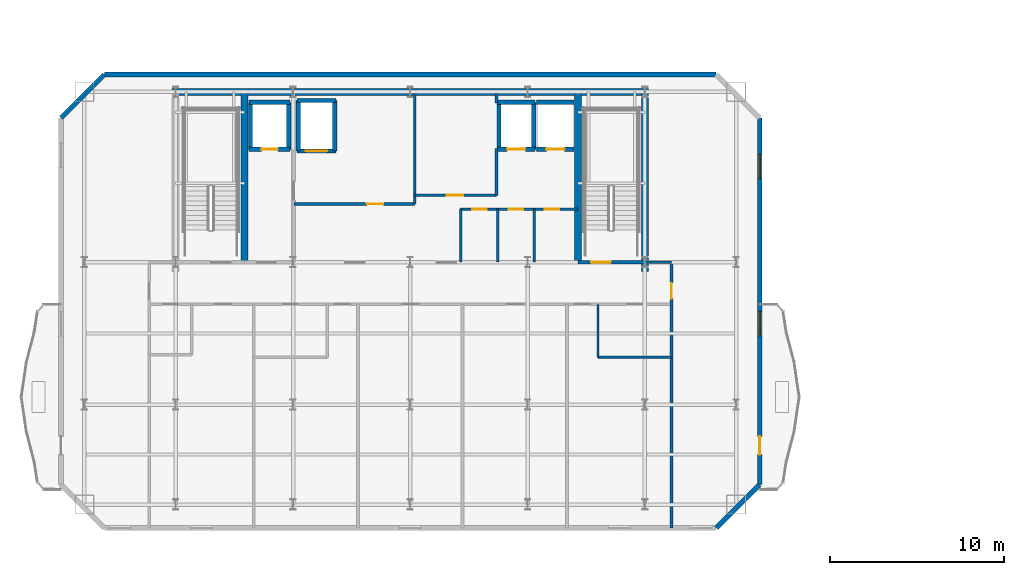
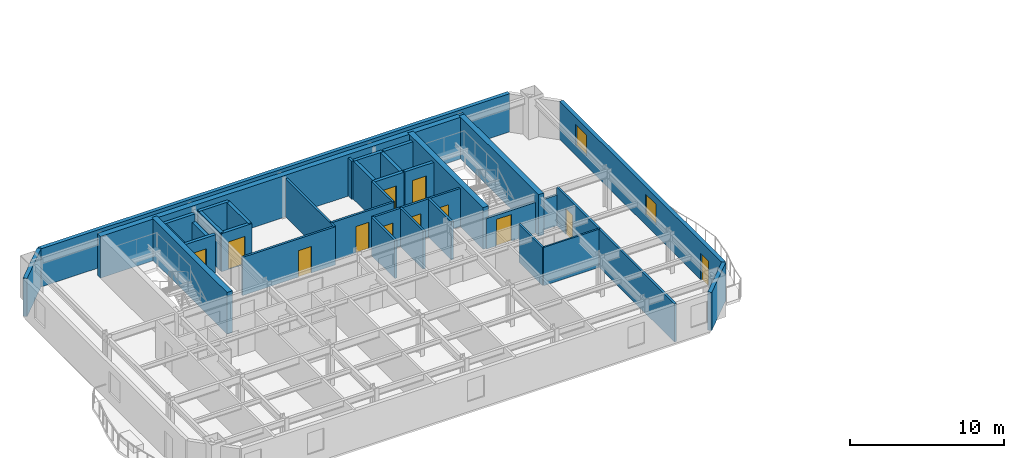
# One storey, part 6 of 13: 36 walls, 12 doors, 2 windows, 14 openings.
"""IFC4 building model written with IfcOpenShell, lengths in metres."""

from ifc_helpers import new_model, si_unit, direction, frame, frame_2d, origin, place, context, subcontext, project, spatial, rectangle, extrude, material, layer, layer_set, type_object, element, fill, save


model = new_model("IFC4")

# Units and contexts
model_context = context("Model", 3, precision=1e-05, world=origin(), true_north=direction((0.0, 1.0)))
body_context = subcontext(model_context, "Body", "Model", "MODEL_VIEW")
ifc_project = project(units=[si_unit("LENGTHUNIT", "METRE"), si_unit("AREAUNIT", "SQUARE_METRE"), si_unit("VOLUMEUNIT", "CUBIC_METRE"), si_unit("PLANEANGLEUNIT", "RADIAN"), si_unit("MASSUNIT", "GRAM", prefix="KILO")], contexts=[model_context])

# Site, building, storey
site_placement = place(None, origin())
site = spatial("IfcSite", under=ifc_project, at=site_placement, CompositionType="ELEMENT")
building_placement = place(site_placement, origin())
building = spatial("IfcBuilding", under=site, at=building_placement, Name="Haevon Station Towers", CompositionType="ELEMENT")
storey_placement = place(building_placement, frame((0.0, 0.0, 225.300048828125)))
storey = spatial("IfcBuildingStorey", under=building, at=storey_placement, Name="L62", CompositionType="ELEMENT", Elevation=225.300048828125)

# Wall, opening, door
ifc_material_1 = material(Name="Gypsum board on steel stud", Category="steel")
ifc_layer_1 = layer(ifc_material_1, 0.199951171875)
ifc_layer_set_1 = layer_set([ifc_layer_1], Name="Gypsum board on steel stud")
wall_type_1 = type_object("IfcWallType", Name="WL-COR200", PredefinedType="PARTITIONING", material=ifc_layer_set_1)
wall_1_placement = place(storey_placement, frame((47.14990234375, 38.199951171875, 0.0), z_axis=(0.0, 0.0, 1.0), x_axis=(1.0, 0.0, 0.0)))
wall_1 = element("IfcWall", 1, at=wall_1_placement, inside=storey, type_object=wall_type_1, Name="WL-ST-ST2-L62", PredefinedType="PARTITIONING", context=body_context, shape_type="SweptSolid", body=[
    extrude(rectangle(XDim=3.85009765625, YDim=0.199951171875, at=frame_2d((1.925048828125, 0.0))), origin(), (0.0, 0.0, 1.0), 2.429931640625),
])
opening_1_placement = place(wall_1_placement, frame((0.75, 0.0, 0.0)))
opening_1 = element("IfcOpeningElement", 2, at=opening_1_placement, cuts=wall_1, Name="Opening DR-ST-ST2-L62", PredefinedType="OPENING", context=body_context, shape_type="SweptSolid", body=[
    extrude(rectangle(XDim=1.1201171875, YDim=2.10009765625, at=frame_2d((0.56005859375, 1.050048828125))), frame((0.0, 0.10986328125, 0.0), z_axis=(0.0, -1.0, 0.0), x_axis=(1.0, 0.0, 0.0)), (0.0, 0.0, 1.0), 0.219970703125),
])
ifc_material_2 = material(Name="Engineered oak timber", Category="wood")
door_type_1 = type_object("IfcDoorType", Name="DR-ST-1120", OperationType="NOTDEFINED", PredefinedType="DOOR", material=ifc_material_2)
door_1_placement = place(opening_1_placement, origin())
door_1 = element("IfcDoor", 3, at=door_1_placement, inside=storey, type_object=door_type_1, Name="L62 Escape Stair ST2 Fire Door", OperationType="SINGLE_SWING_RIGHT", OverallHeight=2.10009765625, OverallWidth=1.1201171875, PredefinedType="DOOR", context=body_context, shape_type="SweptSolid", body=[
    extrude(rectangle(XDim=1.1201171875, YDim=2.10009765625, at=frame_2d((0.56005859375, 1.050048828125))), frame((0.0, 0.02490234375, 0.0), z_axis=(0.0, -1.0, 0.0), x_axis=(1.0, 0.0, 0.0)), (0.0, 0.0, 1.0), 0.050048828125),
])
fill(opening_1, door_1)

# Walls
ifc_material_3 = material(Name="Concrete C60/75", Category="concrete")
ifc_layer_2 = layer(ifc_material_3, 0.39990234375)
ifc_layer_set_2 = layer_set([ifc_layer_2], Name="Concrete C60/75")
wall_type_2 = type_object("IfcWallType", Name="WL-CR400", PredefinedType="SHEAR", material=ifc_layer_set_2)
wall_2_placement = place(storey_placement, frame((23.800048828125, 48.0, 0.0), z_axis=(0.0, 0.0, 1.0), x_axis=(1.0, 0.0, 0.0)))
element("IfcWall", 4, at=wall_2_placement, inside=storey, type_object=wall_type_2, Name="WL-T1CR-L62-N", PredefinedType="SHEAR", context=body_context, shape_type="SweptSolid", body=[
    extrude(rectangle(XDim=27.39990234375, YDim=0.39990234375, at=frame_2d((13.699951171875, 0.0))), origin(), (0.0, 0.0, 1.0), 3.300048828125),
])
wall_3_placement = place(storey_placement, frame((51.0, 37.679931640625, 0.0), z_axis=(0.0, 0.0, 1.0), x_axis=(0.0, 1.0, 0.0)))
element("IfcWall", 5, at=wall_3_placement, inside=storey, type_object=wall_type_2, Name="WL-T1CR-L62-E", PredefinedType="SHEAR", context=body_context, shape_type="SweptSolid", body=[
    extrude(rectangle(XDim=10.320068359375, YDim=0.39990234375, at=frame_2d((5.16015625, 0.0))), origin(), (0.0, 0.0, 1.0), 3.300048828125),
])
for number, where, z_axis, x_axis, name in (
    (6, (27.949951171875, 38.199951171875, 0.0), (0.0, 0.0, 1.0), (0.0, 1.0, 0.0), "WL-T1CR-L62-M1"),
    (7, (47.14990234375, 38.199951171875, 0.0), (0.0, 0.0, 1.0), (0.0, 1.0, 0.0), "WL-T1CR-L62-M2"),
):
    element("IfcWall", number, at=place(storey_placement, frame(where, z_axis=z_axis, x_axis=x_axis)), inside=storey, type_object=wall_type_2, Name=name, PredefinedType="SHEAR", context=body_context, shape_type="SweptSolid", body=[
        extrude(rectangle(XDim=9.800048828125, YDim=0.39990234375, at=frame_2d((4.89990234375, 0.0))), origin(), (0.0, 0.0, 1.0), 3.300048828125),
    ])
ifc_material_4 = material(Name="Precast concrete C45/55", Category="concrete")
ifc_layer_3 = layer(ifc_material_4, 0.280029296875)
ifc_layer_set_3 = layer_set([ifc_layer_3], Name="Precast concrete C45/55")
wall_type_3 = type_object("IfcWallType", Name="WL-EXT-PIER280", PredefinedType="SOLIDWALL", material=ifc_layer_set_3)
wall_4_placement = place(storey_placement, frame((17.39990234375, 46.5, 0.0), z_axis=(0.0, 0.0, 1.0), x_axis=(0.707106781187, 0.707106781187, 0.0)))
element("IfcWall", 8, at=wall_4_placement, inside=storey, type_object=wall_type_3, Name="WL-T1-L62-NWC", PredefinedType="SOLIDWALL", context=body_context, shape_type="SweptSolid", body=[
    extrude(rectangle(XDim=3.53564453125, YDim=0.280029296875, at=frame_2d((1.767822265625, 0.0))), origin(), (0.0, 0.0, 1.0), 3.030029296875),
])
wall_5_placement = place(storey_placement, frame((19.89990234375, 49.0, 0.0), z_axis=(0.0, 0.0, 1.0), x_axis=(1.0, 0.0, 0.0)))
element("IfcWall", 9, at=wall_5_placement, inside=storey, type_object=wall_type_3, Name="WL-T1-L62-N", PredefinedType="SOLIDWALL", context=body_context, shape_type="SweptSolid", body=[
    extrude(rectangle(XDim=35.2001953125, YDim=0.280029296875, at=frame_2d((17.60009765625, 0.0))), origin(), (0.0, 0.0, 1.0), 3.030029296875),
])

# Wall, openings, door, windows
wall_6_placement = place(storey_placement, frame((57.60009765625, 46.5, 0.0), z_axis=(0.0, 0.0, 1.0), x_axis=(0.0, -1.0, 0.0)))
wall_6 = element("IfcWall", 10, at=wall_6_placement, inside=storey, type_object=wall_type_3, Name="WL-T1-L62-E", PredefinedType="SOLIDWALL", context=body_context, shape_type="SweptSolid", body=[
    extrude(rectangle(XDim=21.10009765625, YDim=0.280029296875, at=frame_2d((10.550048828125, 0.0))), origin(), (0.0, 0.0, 1.0), 3.030029296875),
])
opening_2_placement = place(wall_6_placement, frame((18.324951171875, 0.0, 0.0)))
opening_2 = element("IfcOpeningElement", 11, at=opening_2_placement, cuts=wall_6, Name="Opening DR-T1-SCAL-L62-E", PredefinedType="OPENING", context=body_context, shape_type="SweptSolid", body=[
    extrude(rectangle(XDim=1.050048828125, YDim=2.10009765625, at=frame_2d((0.52490234375, 1.050048828125))), frame((0.0, 0.14990234375, 0.0), z_axis=(0.0, -1.0, 0.0), x_axis=(1.0, 0.0, 0.0)), (0.0, 0.0, 1.0), 0.300048828125),
])
opening_3_placement = place(wall_6_placement, frame((2.093017578125, 0.0, 0.800048828125)))
opening_3 = element("IfcOpeningElement", 12, at=opening_3_placement, cuts=wall_6, Name="Opening WN-END140", PredefinedType="OPENING", context=body_context, shape_type="SweptSolid", body=[
    extrude(rectangle(XDim=1.39990234375, YDim=1.64990234375, at=frame_2d((0.699951171875, 0.824951171875))), frame((0.0, 0.14990234375, 0.0), z_axis=(0.0, -1.0, 0.0), x_axis=(1.0, 0.0, 0.0)), (0.0, 0.0, 1.0), 0.300048828125),
])
opening_4_placement = place(wall_6_placement, frame((11.142822265625, 0.0, 0.800048828125)))
opening_4 = element("IfcOpeningElement", 13, at=opening_4_placement, cuts=wall_6, Name="Opening WN-END140", PredefinedType="OPENING", context=body_context, shape_type="SweptSolid", body=[
    extrude(rectangle(XDim=1.39990234375, YDim=1.64990234375, at=frame_2d((0.699951171875, 0.824951171875))), frame((0.0, 0.14990234375, 0.0), z_axis=(0.0, -1.0, 0.0), x_axis=(1.0, 0.0, 0.0)), (0.0, 0.0, 1.0), 0.300048828125),
])
ifc_material_5 = material(Name="Thermally broken anodised aluminium and laminated safety glass", Category="aluminium")
door_type_2 = type_object("IfcDoorType", Name="DR-BALC-1050", OperationType="NOTDEFINED", PredefinedType="DOOR", material=ifc_material_5)
door_2_placement = place(opening_2_placement, origin())
door_2 = element("IfcDoor", 14, at=door_2_placement, inside=storey, type_object=door_type_2, Name="Tower 1 L62 East Scalloped Balcony Door", OperationType="SINGLE_SWING_RIGHT", OverallHeight=2.10009765625, OverallWidth=1.050048828125, PredefinedType="DOOR", context=body_context, shape_type="SweptSolid", body=[
    extrude(rectangle(XDim=1.050048828125, YDim=2.10009765625, at=frame_2d((0.52490234375, 1.050048828125))), frame((0.0, 0.02490234375, 0.0), z_axis=(0.0, -1.0, 0.0), x_axis=(1.0, 0.0, 0.0)), (0.0, 0.0, 1.0), 0.050048828125),
])
fill(opening_2, door_2)
ifc_material_6 = material(Name="Low-E triple glazing in thermally broken aluminium", Category="aluminium")
window_type = type_object("IfcWindowType", Name="WN-END140", PartitioningType="SINGLE_PANEL", PredefinedType="WINDOW", material=ifc_material_6)
window_1_placement = place(opening_3_placement, origin())
window_1 = element("IfcWindow", 15, at=window_1_placement, inside=storey, type_object=window_type, Name="WN-T1-L62-E01", OverallHeight=1.64990234375, OverallWidth=1.39990234375, PartitioningType="SINGLE_PANEL", PredefinedType="WINDOW", context=body_context, shape_type="SweptSolid", body=[
    extrude(rectangle(XDim=1.39990234375, YDim=1.64990234375, at=frame_2d((0.699951171875, 0.824951171875))), frame((0.0, 0.030029296875, 0.0), z_axis=(0.0, -1.0, 0.0), x_axis=(1.0, 0.0, 0.0)), (0.0, 0.0, 1.0), 0.06005859375),
])
fill(opening_3, window_1)
window_2_placement = place(opening_4_placement, origin())
window_2 = element("IfcWindow", 16, at=window_2_placement, inside=storey, type_object=window_type, Name="WN-T1-L62-E02", OverallHeight=1.64990234375, OverallWidth=1.39990234375, PartitioningType="SINGLE_PANEL", PredefinedType="WINDOW", context=body_context, shape_type="SweptSolid", body=[
    extrude(rectangle(XDim=1.39990234375, YDim=1.64990234375, at=frame_2d((0.699951171875, 0.824951171875))), frame((0.0, 0.030029296875, 0.0), z_axis=(0.0, -1.0, 0.0), x_axis=(1.0, 0.0, 0.0)), (0.0, 0.0, 1.0), 0.06005859375),
])
fill(opening_4, window_2)

# Walls
wall_7_placement = place(storey_placement, frame((57.60009765625, 25.39990234375, 0.0), z_axis=(0.0, 0.0, 1.0), x_axis=(-0.707106781187, -0.707106781187, 0.0)))
element("IfcWall", 17, at=wall_7_placement, inside=storey, type_object=wall_type_3, Name="WL-T1-L62-SEC", PredefinedType="SOLIDWALL", context=body_context, shape_type="SweptSolid", body=[
    extrude(rectangle(XDim=3.53564453125, YDim=0.280029296875, at=frame_2d((1.767822265625, 0.0))), origin(), (0.0, 0.0, 1.0), 3.030029296875),
])
ifc_layer_4 = layer(ifc_material_1, 0.125)
ifc_layer_set_4 = layer_set([ifc_layer_4], Name="Gypsum board on steel stud")
wall_type_4 = type_object("IfcWallType", Name="WL-PRT125", PredefinedType="PARTITIONING", material=ifc_layer_set_4)
wall_8_placement = place(storey_placement, frame((48.294921875, 32.72998046875, 0.0), z_axis=(0.0, 0.0, 1.0), x_axis=(1.0, 0.0, 0.0)))
element("IfcWall", 18, at=wall_8_placement, inside=storey, type_object=wall_type_4, Name="WL-T1PT-L62-13", PredefinedType="PARTITIONING", context=body_context, shape_type="SweptSolid", body=[
    extrude(rectangle(XDim=4.22998046875, YDim=0.125, at=frame_2d((2.114990234375, 0.0))), origin(), (0.0, 0.0, 1.0), 3.030029296875),
])
ifc_layer_5 = layer(ifc_material_1, 0.139892578125)
ifc_layer_set_5 = layer_set([ifc_layer_5], Name="Gypsum board on steel stud")
wall_type_5 = type_object("IfcWallType", Name="WL-PRT140", PredefinedType="PARTITIONING", material=ifc_layer_set_5)
wall_9_placement = place(storey_placement, frame((48.294921875, 32.72998046875, 0.0), z_axis=(0.0, 0.0, 1.0), x_axis=(0.0, 1.0, 0.0)))
element("IfcWall", 19, at=wall_9_placement, inside=storey, type_object=wall_type_5, Name="WL-T1PT-L62-14", PredefinedType="PARTITIONING", context=body_context, shape_type="SweptSolid", body=[
    extrude(rectangle(XDim=3.050048828125, YDim=0.139892578125, at=frame_2d((1.52490234375, 0.0))), origin(), (0.0, 0.0, 1.0), 3.030029296875),
])

# Wall, opening, door
ifc_layer_6 = layer(ifc_material_1, 0.159912109375)
ifc_layer_set_6 = layer_set([ifc_layer_6], Name="Gypsum board on steel stud")
wall_type_6 = type_object("IfcWallType", Name="WL-PRT160", PredefinedType="PARTITIONING", material=ifc_layer_set_6)
wall_10_placement = place(storey_placement, frame((30.800048828125, 41.550048828125, 0.0), z_axis=(0.0, 0.0, 1.0), x_axis=(1.0, 0.0, 0.0)))
wall_10 = element("IfcWall", 20, at=wall_10_placement, inside=storey, type_object=wall_type_6, Name="WL-T1CW-L62-01", PredefinedType="PARTITIONING", context=body_context, shape_type="SweptSolid", body=[
    extrude(rectangle(XDim=6.949951171875, YDim=0.159912109375, at=frame_2d((3.47509765625, 0.0))), origin(), (0.0, 0.0, 1.0), 3.030029296875),
])
opening_5_placement = place(wall_10_placement, frame((4.199951171875, 0.0, 0.0)))
opening_5 = element("IfcOpeningElement", 21, at=opening_5_placement, cuts=wall_10, Name="Opening DR-WL-T1CW-L62-01-1", PredefinedType="OPENING", context=body_context, shape_type="SweptSolid", body=[
    extrude(rectangle(XDim=0.949951171875, YDim=2.10009765625, at=frame_2d((0.47509765625, 1.050048828125))), frame((0.0, 0.08984375, 0.0), z_axis=(0.0, -1.0, 0.0), x_axis=(1.0, 0.0, 0.0)), (0.0, 0.0, 1.0), 0.179931640625),
])
door_type_3 = type_object("IfcDoorType", Name="DR-FD60-950", OperationType="NOTDEFINED", PredefinedType="DOOR", material=ifc_material_2)
door_3_placement = place(opening_5_placement, origin())
door_3 = element("IfcDoor", 22, at=door_3_placement, inside=storey, type_object=door_type_3, Name="L62 Tower 1 Core Room Door 1-1", OperationType="SINGLE_SWING_LEFT", OverallHeight=2.10009765625, OverallWidth=0.949951171875, PredefinedType="DOOR", context=body_context, shape_type="SweptSolid", body=[
    extrude(rectangle(XDim=0.949951171875, YDim=2.10009765625, at=frame_2d((0.47509765625, 1.050048828125))), frame((0.0, 0.02490234375, 0.0), z_axis=(0.0, -1.0, 0.0), x_axis=(1.0, 0.0, 0.0)), (0.0, 0.0, 1.0), 0.050048828125),
])
fill(opening_5, door_3)

# Wall
wall_11_placement = place(storey_placement, frame((37.75, 41.550048828125, 0.0), z_axis=(0.0, 0.0, 1.0), x_axis=(0.0, 1.0, 0.0)))
element("IfcWall", 23, at=wall_11_placement, inside=storey, type_object=wall_type_6, Name="WL-T1CW-L62-02", PredefinedType="PARTITIONING", context=body_context, shape_type="SweptSolid", body=[
    extrude(rectangle(XDim=6.349853515625, YDim=0.159912109375, at=frame_2d((3.1748046875, 0.0))), origin(), (0.0, 0.0, 1.0), 3.030029296875),
])

# Wall, opening, door
wall_12_placement = place(storey_placement, frame((37.75, 42.050048828125, 0.0), z_axis=(0.0, 0.0, 1.0), x_axis=(1.0, 0.0, 0.0)))
wall_12 = element("IfcWall", 24, at=wall_12_placement, inside=storey, type_object=wall_type_6, Name="WL-T1CW-L62-03", PredefinedType="PARTITIONING", context=body_context, shape_type="SweptSolid", body=[
    extrude(rectangle(XDim=4.699951171875, YDim=0.159912109375, at=frame_2d((2.35009765625, 0.0))), origin(), (0.0, 0.0, 1.0), 3.030029296875),
])
opening_6_placement = place(wall_12_placement, frame((1.85009765625, 0.0, 0.0)))
opening_6 = element("IfcOpeningElement", 25, at=opening_6_placement, cuts=wall_12, Name="Opening DR-WL-T1CW-L62-03-1", PredefinedType="OPENING", context=body_context, shape_type="SweptSolid", body=[
    extrude(rectangle(XDim=0.949951171875, YDim=2.10009765625, at=frame_2d((0.47509765625, 1.050048828125))), frame((0.0, 0.08984375, 0.0), z_axis=(0.0, -1.0, 0.0), x_axis=(1.0, 0.0, 0.0)), (0.0, 0.0, 1.0), 0.179931640625),
])
door_4_placement = place(opening_6_placement, origin())
door_4 = element("IfcDoor", 26, at=door_4_placement, inside=storey, type_object=door_type_3, Name="L62 Tower 1 Core Room Door 3-1", OperationType="SINGLE_SWING_RIGHT", OverallHeight=2.10009765625, OverallWidth=0.949951171875, PredefinedType="DOOR", context=body_context, shape_type="SweptSolid", body=[
    extrude(rectangle(XDim=0.949951171875, YDim=2.10009765625, at=frame_2d((0.47509765625, 1.050048828125))), frame((0.0, 0.02490234375, 0.0), z_axis=(0.0, -1.0, 0.0), x_axis=(1.0, 0.0, 0.0)), (0.0, 0.0, 1.0), 0.050048828125),
])
fill(opening_6, door_4)

# Walls
wall_13_placement = place(storey_placement, frame((42.449951171875, 42.050048828125, 0.0), z_axis=(0.0, 0.0, 1.0), x_axis=(0.0, 1.0, 0.0)))
element("IfcWall", 27, at=wall_13_placement, inside=storey, type_object=wall_type_6, Name="WL-T1CW-L62-04", PredefinedType="PARTITIONING", context=body_context, shape_type="SweptSolid", body=[
    extrude(rectangle(XDim=2.699951171875, YDim=0.159912109375, at=frame_2d((1.35009765625, 0.0))), origin(), (0.0, 0.0, 1.0), 3.030029296875),
])
wall_14_placement = place(storey_placement, frame((42.449951171875, 47.35009765625, 0.0), z_axis=(0.0, 0.0, 1.0), x_axis=(0.0, 1.0, 0.0)))
element("IfcWall", 28, at=wall_14_placement, inside=storey, type_object=wall_type_6, Name="WL-T1CW-L62-05", PredefinedType="PARTITIONING", context=body_context, shape_type="SweptSolid", body=[
    extrude(rectangle(XDim=0.5498046875, YDim=0.159912109375, at=frame_2d((0.27490234375, 0.0))), origin(), (0.0, 0.0, 1.0), 3.030029296875),
])
for number, where, z_axis, x_axis, name in (
    (29, (40.39990234375, 38.199951171875, 0.0), (0.0, 0.0, 1.0), (0.0, 1.0, 0.0), "WL-T1CW-L62-06"),
    (30, (42.530029296875, 38.199951171875, 0.0), (0.0, 0.0, 1.0), (0.0, 1.0, 0.0), "WL-T1CW-L62-07"),
    (31, (44.6298828125, 38.199951171875, 0.0), (0.0, 0.0, 1.0), (0.0, 1.0, 0.0), "WL-T1CW-L62-08"),
):
    element("IfcWall", number, at=place(storey_placement, frame(where, z_axis=z_axis, x_axis=x_axis)), inside=storey, type_object=wall_type_6, Name=name, PredefinedType="PARTITIONING", context=body_context, shape_type="SweptSolid", body=[
        extrude(rectangle(XDim=3.050048828125, YDim=0.159912109375, at=frame_2d((1.52490234375, 0.0))), origin(), (0.0, 0.0, 1.0), 3.030029296875),
    ])

# Wall, openings, doors
wall_15_placement = place(storey_placement, frame((40.39990234375, 41.25, 0.0), z_axis=(0.0, 0.0, 1.0), x_axis=(1.0, 0.0, 0.0)))
wall_15 = element("IfcWall", 32, at=wall_15_placement, inside=storey, type_object=wall_type_6, Name="WL-T1CW-L62-09", PredefinedType="PARTITIONING", context=body_context, shape_type="SweptSolid", body=[
    extrude(rectangle(XDim=6.75, YDim=0.159912109375, at=frame_2d((3.375, 0.0))), origin(), (0.0, 0.0, 1.0), 3.030029296875),
])
opening_7_placement = place(wall_15_placement, frame((0.659912109375, 0.0, 0.0)))
opening_7 = element("IfcOpeningElement", 33, at=opening_7_placement, cuts=wall_15, Name="Opening DR-WL-T1CW-L62-09-1", PredefinedType="OPENING", context=body_context, shape_type="SweptSolid", body=[
    extrude(rectangle(XDim=0.85009765625, YDim=2.050048828125, at=frame_2d((0.425048828125, 1.02490234375))), frame((0.0, 0.08984375, 0.0), z_axis=(0.0, -1.0, 0.0), x_axis=(1.0, 0.0, 0.0)), (0.0, 0.0, 1.0), 0.179931640625),
])
opening_8_placement = place(wall_15_placement, frame((2.7548828125, 0.0, 0.0)))
opening_8 = element("IfcOpeningElement", 34, at=opening_8_placement, cuts=wall_15, Name="Opening DR-WL-T1CW-L62-09-2", PredefinedType="OPENING", context=body_context, shape_type="SweptSolid", body=[
    extrude(rectangle(XDim=0.85009765625, YDim=2.050048828125, at=frame_2d((0.425048828125, 1.02490234375))), frame((0.0, 0.08984375, 0.0), z_axis=(0.0, -1.0, 0.0), x_axis=(1.0, 0.0, 0.0)), (0.0, 0.0, 1.0), 0.179931640625),
])
opening_9_placement = place(wall_15_placement, frame((4.830078125, 0.0, 0.0)))
opening_9 = element("IfcOpeningElement", 35, at=opening_9_placement, cuts=wall_15, Name="Opening DR-WL-T1CW-L62-09-3", PredefinedType="OPENING", context=body_context, shape_type="SweptSolid", body=[
    extrude(rectangle(XDim=0.85009765625, YDim=2.050048828125, at=frame_2d((0.425048828125, 1.02490234375))), frame((0.0, 0.08984375, 0.0), z_axis=(0.0, -1.0, 0.0), x_axis=(1.0, 0.0, 0.0)), (0.0, 0.0, 1.0), 0.179931640625),
])
door_type_4 = type_object("IfcDoorType", Name="DR-FD30-850", OperationType="NOTDEFINED", PredefinedType="DOOR", material=ifc_material_2)
door_5_placement = place(opening_7_placement, origin())
door_5 = element("IfcDoor", 36, at=door_5_placement, inside=storey, type_object=door_type_4, Name="L62 Tower 1 Core Room Door 9-1", OperationType="SINGLE_SWING_LEFT", OverallHeight=2.050048828125, OverallWidth=0.85009765625, PredefinedType="DOOR", context=body_context, shape_type="SweptSolid", body=[
    extrude(rectangle(XDim=0.85009765625, YDim=2.050048828125, at=frame_2d((0.425048828125, 1.02490234375))), frame((0.0, 0.02490234375, 0.0), z_axis=(0.0, -1.0, 0.0), x_axis=(1.0, 0.0, 0.0)), (0.0, 0.0, 1.0), 0.050048828125),
])
fill(opening_7, door_5)
door_6_placement = place(opening_8_placement, origin())
door_6 = element("IfcDoor", 37, at=door_6_placement, inside=storey, type_object=door_type_4, Name="L62 Tower 1 Core Room Door 9-2", OperationType="SINGLE_SWING_RIGHT", OverallHeight=2.050048828125, OverallWidth=0.85009765625, PredefinedType="DOOR", context=body_context, shape_type="SweptSolid", body=[
    extrude(rectangle(XDim=0.85009765625, YDim=2.050048828125, at=frame_2d((0.425048828125, 1.02490234375))), frame((0.0, 0.02490234375, 0.0), z_axis=(0.0, -1.0, 0.0), x_axis=(1.0, 0.0, 0.0)), (0.0, 0.0, 1.0), 0.050048828125),
])
fill(opening_8, door_6)
door_7_placement = place(opening_9_placement, origin())
door_7 = element("IfcDoor", 38, at=door_7_placement, inside=storey, type_object=door_type_4, Name="L62 Tower 1 Core Room Door 9-3", OperationType="SINGLE_SWING_LEFT", OverallHeight=2.050048828125, OverallWidth=0.85009765625, PredefinedType="DOOR", context=body_context, shape_type="SweptSolid", body=[
    extrude(rectangle(XDim=0.85009765625, YDim=2.050048828125, at=frame_2d((0.425048828125, 1.02490234375))), frame((0.0, 0.02490234375, 0.0), z_axis=(0.0, -1.0, 0.0), x_axis=(1.0, 0.0, 0.0)), (0.0, 0.0, 1.0), 0.050048828125),
])
fill(opening_9, door_7)

# Wall
wall_16_placement = place(storey_placement, frame((51.0, 38.199951171875, 0.0), z_axis=(0.0, 0.0, 1.0), x_axis=(1.0, 0.0, 0.0)))
element("IfcWall", 39, at=wall_16_placement, inside=storey, type_object=wall_type_6, Name="WL-T1PT-L62-02", PredefinedType="PARTITIONING", context=body_context, shape_type="SweptSolid", body=[
    extrude(rectangle(XDim=1.52490234375, YDim=0.159912109375, at=frame_2d((0.762451171875, 0.0))), origin(), (0.0, 0.0, 1.0), 2.429931640625),
])

# Wall, opening, door
wall_17_placement = place(storey_placement, frame((52.52490234375, 22.89990234375, 0.0), z_axis=(0.0, 0.0, 1.0), x_axis=(0.0, 1.0, 0.0)))
wall_17 = element("IfcWall", 40, at=wall_17_placement, inside=storey, type_object=wall_type_6, Name="WL-T1PT-L62-04", PredefinedType="PARTITIONING", context=body_context, shape_type="SweptSolid", body=[
    extrude(rectangle(XDim=15.300048828125, YDim=0.159912109375, at=frame_2d((7.64990234375, 0.0))), origin(), (0.0, 0.0, 1.0), 3.030029296875),
])
opening_10_placement = place(wall_17_placement, frame((13.199951171875, 0.0, 0.0)))
opening_10 = element("IfcOpeningElement", 41, at=opening_10_placement, cuts=wall_17, Name="Opening DR-WL-T1PT-L62-04-01", PredefinedType="OPENING", context=body_context, shape_type="SweptSolid", body=[
    extrude(rectangle(XDim=0.89990234375, YDim=2.050048828125, at=frame_2d((0.449951171875, 1.02490234375))), frame((0.0, 0.08984375, 0.0), z_axis=(0.0, -1.0, 0.0), x_axis=(1.0, 0.0, 0.0)), (0.0, 0.0, 1.0), 0.179931640625),
])
door_type_5 = type_object("IfcDoorType", Name="DR-INT-900", OperationType="NOTDEFINED", PredefinedType="DOOR", material=ifc_material_2)
door_8_placement = place(opening_10_placement, origin())
door_8 = element("IfcDoor", 42, at=door_8_placement, inside=storey, type_object=door_type_5, Name="L62 Tower 1 Room Door 4-1", OperationType="SINGLE_SWING_LEFT", OverallHeight=2.050048828125, OverallWidth=0.89990234375, PredefinedType="DOOR", context=body_context, shape_type="SweptSolid", body=[
    extrude(rectangle(XDim=0.89990234375, YDim=2.050048828125, at=frame_2d((0.449951171875, 1.02490234375))), frame((0.0, 0.02490234375, 0.0), z_axis=(0.0, -1.0, 0.0), x_axis=(1.0, 0.0, 0.0)), (0.0, 0.0, 1.0), 0.050048828125),
])
fill(opening_10, door_8)

ifc_material_7 = material(Name="Concrete C40/50", Category="concrete")
ifc_layer_7 = layer(ifc_material_7, 0.239990234375)
ifc_layer_set_7 = layer_set([ifc_layer_7], Name="Concrete C40/50")
wall_type_7 = type_object("IfcWallType", Name="WL-SHF240", PredefinedType="PARTITIONING", material=ifc_layer_set_7)
wall_18_placement = place(storey_placement, frame((28.219970703125, 44.699951171875, 0.0), z_axis=(0.0, 0.0, 1.0), x_axis=(1.0, 0.0, 0.0)))
wall_18 = element("IfcWall", 43, at=wall_18_placement, inside=storey, type_object=wall_type_7, Name="WL-SHF-FL1-L62", PredefinedType="PARTITIONING", context=body_context, shape_type="SweptSolid", body=[
    extrude(rectangle(XDim=2.360107421875, YDim=0.239990234375, at=frame_2d((1.18017578125, 0.0))), origin(), (0.0, 0.0, 1.0), 3.030029296875),
])
opening_11_placement = place(wall_18_placement, frame((0.705078125, 0.0, 0.0)))
opening_11 = element("IfcOpeningElement", 44, at=opening_11_placement, cuts=wall_18, Name="Opening LD-FL1-L62", PredefinedType="OPENING", context=body_context, shape_type="SweptSolid", body=[
    extrude(rectangle(XDim=0.949951171875, YDim=2.14990234375, at=frame_2d((0.47509765625, 1.074951171875))), frame((0.0, 0.1298828125, 0.0), z_axis=(0.0, -1.0, 0.0), x_axis=(1.0, 0.0, 0.0)), (0.0, 0.0, 1.0), 0.260009765625),
])
ifc_material_8 = material(Name="Stainless steel and rated core", Category="steel")
door_type_6 = type_object("IfcDoorType", Name="LD-FL950", OperationType="SLIDING_TO_LEFT", PredefinedType="DOOR", material=ifc_material_8)
door_9_placement = place(opening_11_placement, origin())
door_9 = element("IfcDoor", 45, at=door_9_placement, inside=storey, type_object=door_type_6, Name="L62 Lift FL1 Sliding Landing Door", OperationType="SLIDING_TO_LEFT", OverallHeight=2.14990234375, OverallWidth=0.949951171875, PredefinedType="DOOR", context=body_context, shape_type="SweptSolid", body=[
    extrude(rectangle(XDim=0.949951171875, YDim=2.14990234375, at=frame_2d((0.47509765625, 1.074951171875))), frame((0.0, 0.02490234375, 0.0), z_axis=(0.0, -1.0, 0.0), x_axis=(1.0, 0.0, 0.0)), (0.0, 0.0, 1.0), 0.050048828125),
])
fill(opening_11, door_9)

# Walls
wall_19_placement = place(storey_placement, frame((28.219970703125, 47.39990234375, 0.0), z_axis=(0.0, 0.0, 1.0), x_axis=(1.0, 0.0, 0.0)))
element("IfcWall", 46, at=wall_19_placement, inside=storey, type_object=wall_type_7, Name="WL-SHF-FL1-L62-N", PredefinedType="PARTITIONING", context=body_context, shape_type="SweptSolid", body=[
    extrude(rectangle(XDim=2.360107421875, YDim=0.239990234375, at=frame_2d((1.18017578125, 0.0))), origin(), (0.0, 0.0, 1.0), 3.030029296875),
])
wall_20_placement = place(storey_placement, frame((28.300048828125, 44.699951171875, 0.0), z_axis=(0.0, 0.0, 1.0), x_axis=(0.0, 1.0, 0.0)))
element("IfcWall", 47, at=wall_20_placement, inside=storey, type_object=wall_type_7, Name="WL-SHF-FL1-L62-W", PredefinedType="PARTITIONING", context=body_context, shape_type="SweptSolid", body=[
    extrude(rectangle(XDim=2.699951171875, YDim=0.239990234375, at=frame_2d((1.35009765625, 0.0))), origin(), (0.0, 0.0, 1.0), 3.030029296875),
])
wall_21_placement = place(storey_placement, frame((30.5, 44.699951171875, 0.0), z_axis=(0.0, 0.0, 1.0), x_axis=(0.0, 1.0, 0.0)))
element("IfcWall", 48, at=wall_21_placement, inside=storey, type_object=wall_type_7, Name="WL-SHF-FL1-L62-E", PredefinedType="PARTITIONING", context=body_context, shape_type="SweptSolid", body=[
    extrude(rectangle(XDim=2.699951171875, YDim=0.239990234375, at=frame_2d((1.35009765625, 0.0))), origin(), (0.0, 0.0, 1.0), 2.429931640625),
])

# Wall, opening, door
wall_22_placement = place(storey_placement, frame((30.969970703125, 44.60009765625, 0.0), z_axis=(0.0, 0.0, 1.0), x_axis=(1.0, 0.0, 0.0)))
wall_22 = element("IfcWall", 49, at=wall_22_placement, inside=storey, type_object=wall_type_7, Name="WL-SHF-SL1-L62", PredefinedType="PARTITIONING", context=body_context, shape_type="SweptSolid", body=[
    extrude(rectangle(XDim=2.260009765625, YDim=0.239990234375, at=frame_2d((1.1298828125, 0.0))), origin(), (0.0, 0.0, 1.0), 3.030029296875),
])
opening_12_placement = place(wall_22_placement, frame((0.5048828125, 0.0, 0.0)))
opening_12 = element("IfcOpeningElement", 50, at=opening_12_placement, cuts=wall_22, Name="Opening LD-SL1-L62", PredefinedType="OPENING", context=body_context, shape_type="SweptSolid", body=[
    extrude(rectangle(XDim=1.25, YDim=2.199951171875, at=frame_2d((0.625, 1.10009765625))), frame((0.0, 0.1298828125, 0.0), z_axis=(0.0, -1.0, 0.0), x_axis=(1.0, 0.0, 0.0)), (0.0, 0.0, 1.0), 0.260009765625),
])
door_type_7 = type_object("IfcDoorType", Name="LD-SL1250", OperationType="SLIDING_TO_LEFT", PredefinedType="DOOR", material=ifc_material_8)
door_10_placement = place(opening_12_placement, origin())
door_10 = element("IfcDoor", 51, at=door_10_placement, inside=storey, type_object=door_type_7, Name="L62 Lift SL1 Sliding Landing Door", OperationType="SLIDING_TO_LEFT", OverallHeight=2.199951171875, OverallWidth=1.25, PredefinedType="DOOR", context=body_context, shape_type="SweptSolid", body=[
    extrude(rectangle(XDim=1.25, YDim=2.199951171875, at=frame_2d((0.625, 1.10009765625))), frame((0.0, 0.02490234375, 0.0), z_axis=(0.0, -1.0, 0.0), x_axis=(1.0, 0.0, 0.0)), (0.0, 0.0, 1.0), 0.050048828125),
])
fill(opening_12, door_10)

# Walls
wall_23_placement = place(storey_placement, frame((30.969970703125, 47.5, 0.0), z_axis=(0.0, 0.0, 1.0), x_axis=(1.0, 0.0, 0.0)))
element("IfcWall", 52, at=wall_23_placement, inside=storey, type_object=wall_type_7, Name="WL-SHF-SL1-L62-N", PredefinedType="PARTITIONING", context=body_context, shape_type="SweptSolid", body=[
    extrude(rectangle(XDim=2.260009765625, YDim=0.239990234375, at=frame_2d((1.1298828125, 0.0))), origin(), (0.0, 0.0, 1.0), 3.030029296875),
])
for number, where, z_axis, x_axis, name in (
    (53, (31.050048828125, 44.60009765625, 0.0), (0.0, 0.0, 1.0), (0.0, 1.0, 0.0), "WL-SHF-SL1-L62-W"),
    (54, (33.14990234375, 44.60009765625, 0.0), (0.0, 0.0, 1.0), (0.0, 1.0, 0.0), "WL-SHF-SL1-L62-E"),
):
    element("IfcWall", number, at=place(storey_placement, frame(where, z_axis=z_axis, x_axis=x_axis)), inside=storey, type_object=wall_type_7, Name=name, PredefinedType="PARTITIONING", context=body_context, shape_type="SweptSolid", body=[
        extrude(rectangle(XDim=2.89990234375, YDim=0.239990234375, at=frame_2d((1.449951171875, 0.0))), origin(), (0.0, 0.0, 1.0), 3.030029296875),
    ])

# Wall, opening, door
wall_24_placement = place(storey_placement, frame((42.52001953125, 44.699951171875, 0.0), z_axis=(0.0, 0.0, 1.0), x_axis=(1.0, 0.0, 0.0)))
wall_24 = element("IfcWall", 55, at=wall_24_placement, inside=storey, type_object=wall_type_7, Name="WL-SHF-PL5-L62", PredefinedType="PARTITIONING", context=body_context, shape_type="SweptSolid", body=[
    extrude(rectangle(XDim=2.159912109375, YDim=0.239990234375, at=frame_2d((1.080078125, 0.0))), origin(), (0.0, 0.0, 1.0), 3.030029296875),
])
opening_13_placement = place(wall_24_placement, frame((0.554931640625, 0.0, 0.0)))
opening_13 = element("IfcOpeningElement", 56, at=opening_13_placement, cuts=wall_24, Name="Opening LD-PL5-L62", PredefinedType="OPENING", context=body_context, shape_type="SweptSolid", body=[
    extrude(rectangle(XDim=1.050048828125, YDim=2.14990234375, at=frame_2d((0.52490234375, 1.074951171875))), frame((0.0, 0.1298828125, 0.0), z_axis=(0.0, -1.0, 0.0), x_axis=(1.0, 0.0, 0.0)), (0.0, 0.0, 1.0), 0.260009765625),
])
door_type_8 = type_object("IfcDoorType", Name="LD-PL1050", OperationType="SLIDING_TO_LEFT", PredefinedType="DOOR", material=ifc_material_8)
door_11_placement = place(opening_13_placement, origin())
door_11 = element("IfcDoor", 57, at=door_11_placement, inside=storey, type_object=door_type_8, Name="L62 Lift PL5 Sliding Landing Door", OperationType="SLIDING_TO_LEFT", OverallHeight=2.14990234375, OverallWidth=1.050048828125, PredefinedType="DOOR", context=body_context, shape_type="SweptSolid", body=[
    extrude(rectangle(XDim=1.050048828125, YDim=2.14990234375, at=frame_2d((0.52490234375, 1.074951171875))), frame((0.0, 0.02490234375, 0.0), z_axis=(0.0, -1.0, 0.0), x_axis=(1.0, 0.0, 0.0)), (0.0, 0.0, 1.0), 0.050048828125),
])
fill(opening_13, door_11)

# Walls
wall_25_placement = place(storey_placement, frame((42.52001953125, 47.39990234375, 0.0), z_axis=(0.0, 0.0, 1.0), x_axis=(1.0, 0.0, 0.0)))
element("IfcWall", 58, at=wall_25_placement, inside=storey, type_object=wall_type_7, Name="WL-SHF-PL5-L62-N", PredefinedType="PARTITIONING", context=body_context, shape_type="SweptSolid", body=[
    extrude(rectangle(XDim=2.159912109375, YDim=0.239990234375, at=frame_2d((1.080078125, 0.0))), origin(), (0.0, 0.0, 1.0), 3.030029296875),
])
for number, where, z_axis, x_axis, name in (
    (59, (42.60009765625, 44.699951171875, 0.0), (0.0, 0.0, 1.0), (0.0, 1.0, 0.0), "WL-SHF-PL5-L62-W"),
    (60, (44.60009765625, 44.699951171875, 0.0), (0.0, 0.0, 1.0), (0.0, 1.0, 0.0), "WL-SHF-PL5-L62-E"),
):
    element("IfcWall", number, at=place(storey_placement, frame(where, z_axis=z_axis, x_axis=x_axis)), inside=storey, type_object=wall_type_7, Name=name, PredefinedType="PARTITIONING", context=body_context, shape_type="SweptSolid", body=[
        extrude(rectangle(XDim=2.699951171875, YDim=0.239990234375, at=frame_2d((1.35009765625, 0.0))), origin(), (0.0, 0.0, 1.0), 3.030029296875),
    ])

# Wall, opening, door
wall_26_placement = place(storey_placement, frame((44.77001953125, 44.699951171875, 0.0), z_axis=(0.0, 0.0, 1.0), x_axis=(1.0, 0.0, 0.0)))
wall_26 = element("IfcWall", 61, at=wall_26_placement, inside=storey, type_object=wall_type_7, Name="WL-SHF-PL6-L62", PredefinedType="PARTITIONING", context=body_context, shape_type="SweptSolid", body=[
    extrude(rectangle(XDim=2.159912109375, YDim=0.239990234375, at=frame_2d((1.080078125, 0.0))), origin(), (0.0, 0.0, 1.0), 3.030029296875),
])
opening_14_placement = place(wall_26_placement, frame((0.554931640625, 0.0, 0.0)))
opening_14 = element("IfcOpeningElement", 62, at=opening_14_placement, cuts=wall_26, Name="Opening LD-PL6-L62", PredefinedType="OPENING", context=body_context, shape_type="SweptSolid", body=[
    extrude(rectangle(XDim=1.050048828125, YDim=2.14990234375, at=frame_2d((0.52490234375, 1.074951171875))), frame((0.0, 0.1298828125, 0.0), z_axis=(0.0, -1.0, 0.0), x_axis=(1.0, 0.0, 0.0)), (0.0, 0.0, 1.0), 0.260009765625),
])
door_12_placement = place(opening_14_placement, origin())
door_12 = element("IfcDoor", 63, at=door_12_placement, inside=storey, type_object=door_type_8, Name="L62 Lift PL6 Sliding Landing Door", OperationType="SLIDING_TO_LEFT", OverallHeight=2.14990234375, OverallWidth=1.050048828125, PredefinedType="DOOR", context=body_context, shape_type="SweptSolid", body=[
    extrude(rectangle(XDim=1.050048828125, YDim=2.14990234375, at=frame_2d((0.52490234375, 1.074951171875))), frame((0.0, 0.02490234375, 0.0), z_axis=(0.0, -1.0, 0.0), x_axis=(1.0, 0.0, 0.0)), (0.0, 0.0, 1.0), 0.050048828125),
])
fill(opening_14, door_12)

# Wall
wall_27_placement = place(storey_placement, frame((44.77001953125, 47.39990234375, 0.0), z_axis=(0.0, 0.0, 1.0), x_axis=(1.0, 0.0, 0.0)))
element("IfcWall", 64, at=wall_27_placement, inside=storey, type_object=wall_type_7, Name="WL-SHF-PL6-L62-N", PredefinedType="PARTITIONING", context=body_context, shape_type="SweptSolid", body=[
    extrude(rectangle(XDim=2.159912109375, YDim=0.239990234375, at=frame_2d((1.080078125, 0.0))), origin(), (0.0, 0.0, 1.0), 3.030029296875),
])

save(model, "model.ifc")
